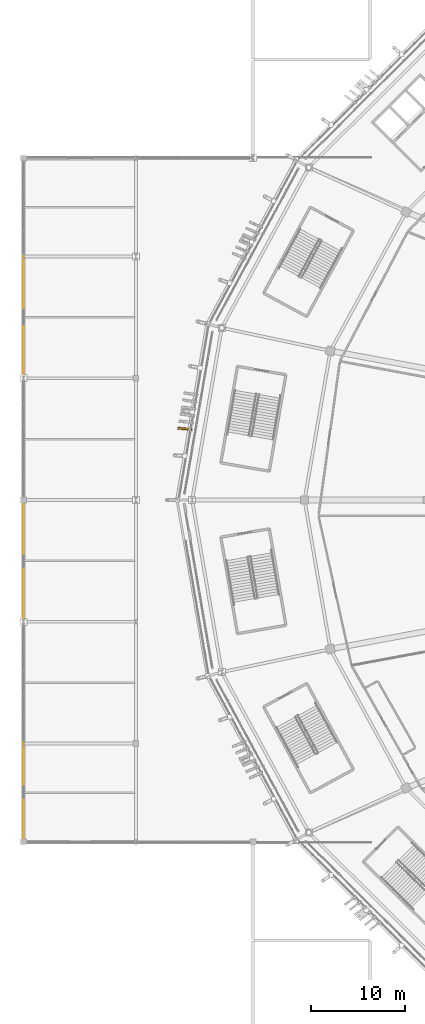
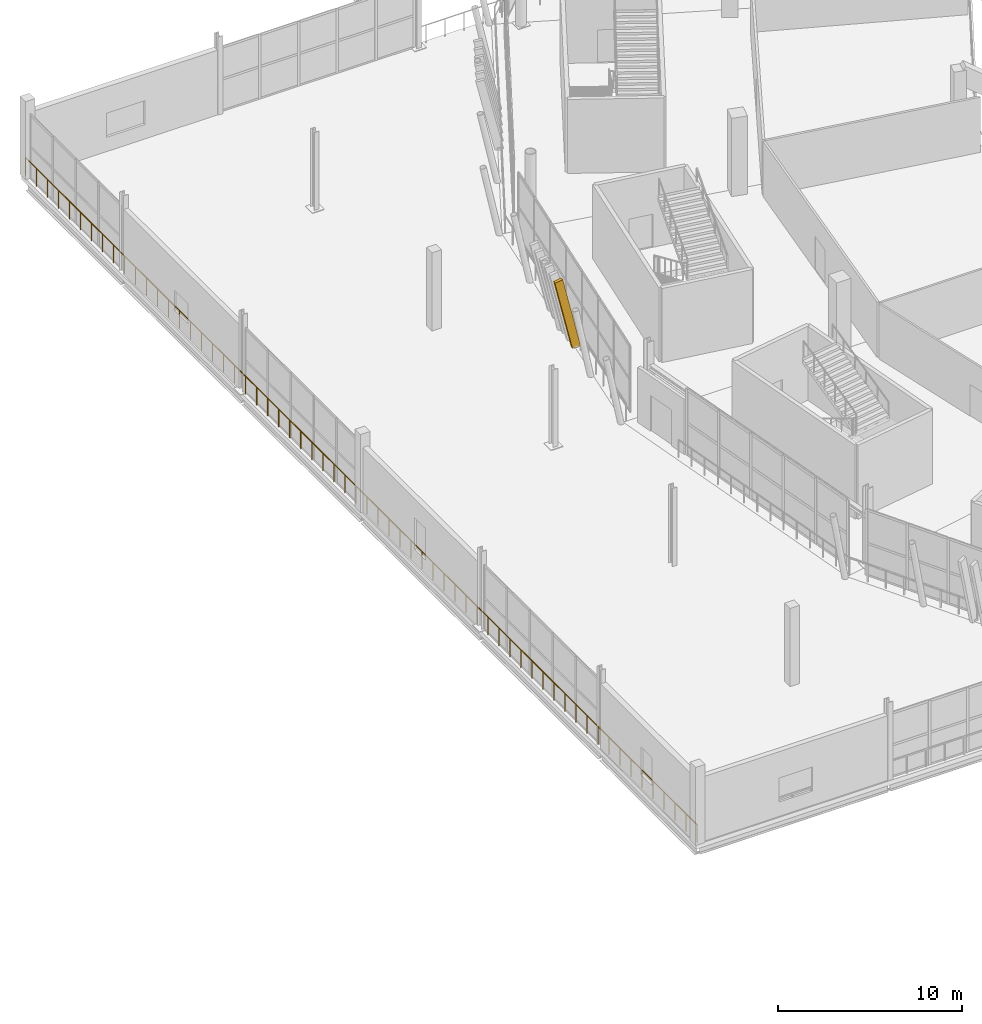
# One storey, part 153 of 178: 1 railing, 1 shading device.
"""IFC4 building model written with IfcOpenShell, lengths in metres."""

from ifc_helpers import new_model, si_unit, direction, frame, origin, origin_2d, place, context, subcontext, project, spatial, rectangle, extrude, material, material_profile, profile_set, type_object, element, save


model = new_model("IFC4")

# Units and contexts
model_context = context("Model", 3, precision=1e-05, world=origin(), true_north=direction((0.0, 1.0)))
body_context = subcontext(model_context, "Body", "Model", "MODEL_VIEW")
ifc_project = project(units=[si_unit("LENGTHUNIT", "METRE"), si_unit("AREAUNIT", "SQUARE_METRE"), si_unit("VOLUMEUNIT", "CUBIC_METRE"), si_unit("PLANEANGLEUNIT", "RADIAN"), si_unit("MASSUNIT", "GRAM", prefix="KILO")], contexts=[model_context])

# Site, building, storey
site_placement = place(None, origin())
site = spatial("IfcSite", under=ifc_project, at=site_placement, CompositionType="ELEMENT")
building_placement = place(site_placement, origin())
building = spatial("IfcBuilding", under=site, at=building_placement, Name="Zlatoyarsky Gate Stadium", CompositionType="ELEMENT")
storey_placement = place(building_placement, frame((0.0, 0.0, 5.39990234375)))
storey = spatial("IfcBuildingStorey", under=building, at=storey_placement, Name="L01", CompositionType="ELEMENT", Elevation=5.39990234375)

# Railing
ifc_material_1 = material(Name="Powder-coated steel tubular guardrail", Category="steel")
railing_type = type_object("IfcRailingType", Name="CONCOURSE SLAB EDGE GUARDRAIL 1200", PredefinedType="GUARDRAIL", material=ifc_material_1)
railing_placement = place(storey_placement, frame((-0.080078125, 43.419921875, 0.0)))
element("IfcRailing", 1, at=railing_placement, inside=storey, type_object=railing_type, Name="V4_WEST L01 W slab edge guardrail", PredefinedType="GUARDRAIL", context=body_context, shape_type="SweptSolid", body=[
    extrude(rectangle(XDim=0.048095703125, YDim=0.048095703125, at=origin_2d()), frame((0.0, 0.0, 1.17578125), z_axis=(0.0, 1.0, 0.0), x_axis=(-1.0, 0.0, 0.0)), (0.0, 0.0, 1.0), 73.16015625),
    extrude(rectangle(XDim=0.0419921875, YDim=0.0419921875, at=origin_2d()), origin(), (0.0, 0.0, 1.0), 1.15185546875),
    extrude(rectangle(XDim=0.0419921875, YDim=0.0419921875, at=origin_2d()), frame((0.0, 1.199462890625, 0.0)), (0.0, 0.0, 1.0), 1.15185546875),
    extrude(rectangle(XDim=0.0419921875, YDim=0.0419921875, at=origin_2d()), frame((0.0, 2.398681640625, 0.0)), (0.0, 0.0, 1.0), 1.15185546875),
    extrude(rectangle(XDim=0.0419921875, YDim=0.0419921875, at=origin_2d()), frame((0.0, 3.59814453125, 0.0)), (0.0, 0.0, 1.0), 1.15185546875),
    extrude(rectangle(XDim=0.0419921875, YDim=0.0419921875, at=origin_2d()), frame((0.0, 4.79736328125, 0.0)), (0.0, 0.0, 1.0), 1.15185546875),
    extrude(rectangle(XDim=0.0419921875, YDim=0.0419921875, at=origin_2d()), frame((0.0, 5.996826171875, 0.0)), (0.0, 0.0, 1.0), 1.15185546875),
    extrude(rectangle(XDim=0.0419921875, YDim=0.0419921875, at=origin_2d()), frame((0.0, 7.196044921875, 0.0)), (0.0, 0.0, 1.0), 1.15185546875),
    extrude(rectangle(XDim=0.0419921875, YDim=0.0419921875, at=origin_2d()), frame((0.0, 8.3955078125, 0.0)), (0.0, 0.0, 1.0), 1.15185546875),
    extrude(rectangle(XDim=0.0419921875, YDim=0.0419921875, at=origin_2d()), frame((0.0, 9.5947265625, 0.0)), (0.0, 0.0, 1.0), 1.15185546875),
    extrude(rectangle(XDim=0.0419921875, YDim=0.0419921875, at=origin_2d()), frame((0.0, 10.794189453125, 0.0)), (0.0, 0.0, 1.0), 1.15185546875),
    extrude(rectangle(XDim=0.0419921875, YDim=0.0419921875, at=origin_2d()), frame((0.0, 11.993408203125, 0.0)), (0.0, 0.0, 1.0), 1.15185546875),
    extrude(rectangle(XDim=0.0419921875, YDim=0.0419921875, at=origin_2d()), frame((0.0, 13.19287109375, 0.0)), (0.0, 0.0, 1.0), 1.15185546875),
    extrude(rectangle(XDim=0.0419921875, YDim=0.0419921875, at=origin_2d()), frame((0.0, 14.39208984375, 0.0)), (0.0, 0.0, 1.0), 1.15185546875),
    extrude(rectangle(XDim=0.0419921875, YDim=0.0419921875, at=origin_2d()), frame((0.0, 15.591552734375, 0.0)), (0.0, 0.0, 1.0), 1.15185546875),
    extrude(rectangle(XDim=0.0419921875, YDim=0.0419921875, at=origin_2d()), frame((0.0, 16.790771484375, 0.0)), (0.0, 0.0, 1.0), 1.15185546875),
    extrude(rectangle(XDim=0.0419921875, YDim=0.0419921875, at=origin_2d()), frame((0.0, 17.990234375, 0.0)), (0.0, 0.0, 1.0), 1.15185546875),
    extrude(rectangle(XDim=0.0419921875, YDim=0.0419921875, at=origin_2d()), frame((0.0, 19.189453125, 0.0)), (0.0, 0.0, 1.0), 1.15185546875),
    extrude(rectangle(XDim=0.0419921875, YDim=0.0419921875, at=origin_2d()), frame((0.0, 20.388916015625, 0.0)), (0.0, 0.0, 1.0), 1.15185546875),
    extrude(rectangle(XDim=0.0419921875, YDim=0.0419921875, at=origin_2d()), frame((0.0, 21.588134765625, 0.0)), (0.0, 0.0, 1.0), 1.15185546875),
    extrude(rectangle(XDim=0.0419921875, YDim=0.0419921875, at=origin_2d()), frame((0.0, 22.78759765625, 0.0)), (0.0, 0.0, 1.0), 1.15185546875),
    extrude(rectangle(XDim=0.0419921875, YDim=0.0419921875, at=origin_2d()), frame((0.0, 23.98681640625, 0.0)), (0.0, 0.0, 1.0), 1.15185546875),
    extrude(rectangle(XDim=0.0419921875, YDim=0.0419921875, at=origin_2d()), frame((0.0, 25.186279296875, 0.0)), (0.0, 0.0, 1.0), 1.15185546875),
    extrude(rectangle(XDim=0.0419921875, YDim=0.0419921875, at=origin_2d()), frame((0.0, 26.3857421875, 0.0)), (0.0, 0.0, 1.0), 1.15185546875),
    extrude(rectangle(XDim=0.0419921875, YDim=0.0419921875, at=origin_2d()), frame((0.0, 27.5849609375, 0.0)), (0.0, 0.0, 1.0), 1.15185546875),
    extrude(rectangle(XDim=0.0419921875, YDim=0.0419921875, at=origin_2d()), frame((0.0, 28.784423828125, 0.0)), (0.0, 0.0, 1.0), 1.15185546875),
    extrude(rectangle(XDim=0.0419921875, YDim=0.0419921875, at=origin_2d()), frame((0.0, 29.983642578125, 0.0)), (0.0, 0.0, 1.0), 1.15185546875),
    extrude(rectangle(XDim=0.0419921875, YDim=0.0419921875, at=origin_2d()), frame((0.0, 31.18310546875, 0.0)), (0.0, 0.0, 1.0), 1.15185546875),
    extrude(rectangle(XDim=0.0419921875, YDim=0.0419921875, at=origin_2d()), frame((0.0, 32.38232421875, 0.0)), (0.0, 0.0, 1.0), 1.15185546875),
    extrude(rectangle(XDim=0.0419921875, YDim=0.0419921875, at=origin_2d()), frame((0.0, 33.581787109375, 0.0)), (0.0, 0.0, 1.0), 1.15185546875),
    extrude(rectangle(XDim=0.0419921875, YDim=0.0419921875, at=origin_2d()), frame((0.0, 34.781005859375, 0.0)), (0.0, 0.0, 1.0), 1.15185546875),
    extrude(rectangle(XDim=0.0419921875, YDim=0.0419921875, at=origin_2d()), frame((0.0, 35.98046875, 0.0)), (0.0, 0.0, 1.0), 1.15185546875),
    extrude(rectangle(XDim=0.0419921875, YDim=0.0419921875, at=origin_2d()), frame((0.0, 37.1796875, 0.0)), (0.0, 0.0, 1.0), 1.15185546875),
    extrude(rectangle(XDim=0.0419921875, YDim=0.0419921875, at=origin_2d()), frame((0.0, 38.379150390625, 0.0)), (0.0, 0.0, 1.0), 1.15185546875),
    extrude(rectangle(XDim=0.0419921875, YDim=0.0419921875, at=origin_2d()), frame((0.0, 39.578369140625, 0.0)), (0.0, 0.0, 1.0), 1.15185546875),
    extrude(rectangle(XDim=0.0419921875, YDim=0.0419921875, at=origin_2d()), frame((0.0, 40.77783203125, 0.0)), (0.0, 0.0, 1.0), 1.15185546875),
    extrude(rectangle(XDim=0.0419921875, YDim=0.0419921875, at=origin_2d()), frame((0.0, 41.97705078125, 0.0)), (0.0, 0.0, 1.0), 1.15185546875),
    extrude(rectangle(XDim=0.0419921875, YDim=0.0419921875, at=origin_2d()), frame((0.0, 43.176513671875, 0.0)), (0.0, 0.0, 1.0), 1.15185546875),
    extrude(rectangle(XDim=0.0419921875, YDim=0.0419921875, at=origin_2d()), frame((0.0, 44.375732421875, 0.0)), (0.0, 0.0, 1.0), 1.15185546875),
    extrude(rectangle(XDim=0.0419921875, YDim=0.0419921875, at=origin_2d()), frame((0.0, 45.5751953125, 0.0)), (0.0, 0.0, 1.0), 1.15185546875),
    extrude(rectangle(XDim=0.0419921875, YDim=0.0419921875, at=origin_2d()), frame((0.0, 46.7744140625, 0.0)), (0.0, 0.0, 1.0), 1.15185546875),
    extrude(rectangle(XDim=0.0419921875, YDim=0.0419921875, at=origin_2d()), frame((0.0, 47.973876953125, 0.0)), (0.0, 0.0, 1.0), 1.15185546875),
    extrude(rectangle(XDim=0.0419921875, YDim=0.0419921875, at=origin_2d()), frame((0.0, 49.17333984375, 0.0)), (0.0, 0.0, 1.0), 1.15185546875),
    extrude(rectangle(XDim=0.0419921875, YDim=0.0419921875, at=origin_2d()), frame((0.0, 50.37255859375, 0.0)), (0.0, 0.0, 1.0), 1.15185546875),
    extrude(rectangle(XDim=0.0419921875, YDim=0.0419921875, at=origin_2d()), frame((0.0, 51.572021484375, 0.0)), (0.0, 0.0, 1.0), 1.15185546875),
    extrude(rectangle(XDim=0.0419921875, YDim=0.0419921875, at=origin_2d()), frame((0.0, 52.771240234375, 0.0)), (0.0, 0.0, 1.0), 1.15185546875),
    extrude(rectangle(XDim=0.0419921875, YDim=0.0419921875, at=origin_2d()), frame((0.0, 53.970703125, 0.0)), (0.0, 0.0, 1.0), 1.15185546875),
    extrude(rectangle(XDim=0.0419921875, YDim=0.0419921875, at=origin_2d()), frame((0.0, 55.169921875, 0.0)), (0.0, 0.0, 1.0), 1.15185546875),
    extrude(rectangle(XDim=0.0419921875, YDim=0.0419921875, at=origin_2d()), frame((0.0, 56.369384765625, 0.0)), (0.0, 0.0, 1.0), 1.15185546875),
    extrude(rectangle(XDim=0.0419921875, YDim=0.0419921875, at=origin_2d()), frame((0.0, 57.568603515625, 0.0)), (0.0, 0.0, 1.0), 1.15185546875),
    extrude(rectangle(XDim=0.0419921875, YDim=0.0419921875, at=origin_2d()), frame((0.0, 58.76806640625, 0.0)), (0.0, 0.0, 1.0), 1.15185546875),
    extrude(rectangle(XDim=0.0419921875, YDim=0.0419921875, at=origin_2d()), frame((0.0, 59.96728515625, 0.0)), (0.0, 0.0, 1.0), 1.15185546875),
    extrude(rectangle(XDim=0.0419921875, YDim=0.0419921875, at=origin_2d()), frame((0.0, 61.166748046875, 0.0)), (0.0, 0.0, 1.0), 1.15185546875),
    extrude(rectangle(XDim=0.0419921875, YDim=0.0419921875, at=origin_2d()), frame((0.0, 62.365966796875, 0.0)), (0.0, 0.0, 1.0), 1.15185546875),
    extrude(rectangle(XDim=0.0419921875, YDim=0.0419921875, at=origin_2d()), frame((0.0, 63.5654296875, 0.0)), (0.0, 0.0, 1.0), 1.15185546875),
    extrude(rectangle(XDim=0.0419921875, YDim=0.0419921875, at=origin_2d()), frame((0.0, 64.7646484375, 0.0)), (0.0, 0.0, 1.0), 1.15185546875),
    extrude(rectangle(XDim=0.0419921875, YDim=0.0419921875, at=origin_2d()), frame((0.0, 65.964111328125, 0.0)), (0.0, 0.0, 1.0), 1.15185546875),
    extrude(rectangle(XDim=0.0419921875, YDim=0.0419921875, at=origin_2d()), frame((0.0, 67.163330078125, 0.0)), (0.0, 0.0, 1.0), 1.15185546875),
    extrude(rectangle(XDim=0.0419921875, YDim=0.0419921875, at=origin_2d()), frame((0.0, 68.36279296875, 0.0)), (0.0, 0.0, 1.0), 1.15185546875),
    extrude(rectangle(XDim=0.0419921875, YDim=0.0419921875, at=origin_2d()), frame((0.0, 69.56201171875, 0.0)), (0.0, 0.0, 1.0), 1.15185546875),
    extrude(rectangle(XDim=0.0419921875, YDim=0.0419921875, at=origin_2d()), frame((0.0, 70.761474609375, 0.0)), (0.0, 0.0, 1.0), 1.15185546875),
    extrude(rectangle(XDim=0.0419921875, YDim=0.0419921875, at=origin_2d()), frame((0.0, 71.960693359375, 0.0)), (0.0, 0.0, 1.0), 1.15185546875),
    extrude(rectangle(XDim=0.0419921875, YDim=0.0419921875, at=origin_2d()), frame((0.0, 73.16015625, 0.0)), (0.0, 0.0, 1.0), 1.15185546875),
])

# Shading device
ifc_material_2 = material(Name="Precast concrete C40/50 stone-toned architectural rib", Category="masonry")
ifc_material_profile = material_profile(ifc_material_2, rectangle(XDim=0.199951171875, YDim=0.47998046875, at=origin_2d()), Name="RIB 200X480")
ifc_profile_set = profile_set([ifc_material_profile], Name="Precast concrete C40/50 stone-toned architectural rib")
shading_device_type = type_object("IfcShadingDeviceType", Name="PRECAST FLUTED GATE LOUVRE BLADE 200X480", PredefinedType="SHUTTER", material=ifc_profile_set)
shading_device_placement = place(storey_placement, frame((17.764892578125, 87.537841796875, -0.010009765625), z_axis=(-0.219393088164, 0.023099365034, 0.975363056611), x_axis=(-0.104708795919, -0.994502925112, 0.0)))
element("IfcShadingDevice", 2, at=shading_device_placement, inside=storey, type_object=shading_device_type, Name="Leaning bowl louvre fin L01-11-6", PredefinedType="SHUTTER", context=body_context, shape_type="SweptSolid", body=[
    extrude(rectangle(XDim=0.199951171875, YDim=0.47998046875, at=origin_2d()), origin(), (0.0, 0.0, 1.0), 4.79833984375),
])

save(model, "model.ifc")
